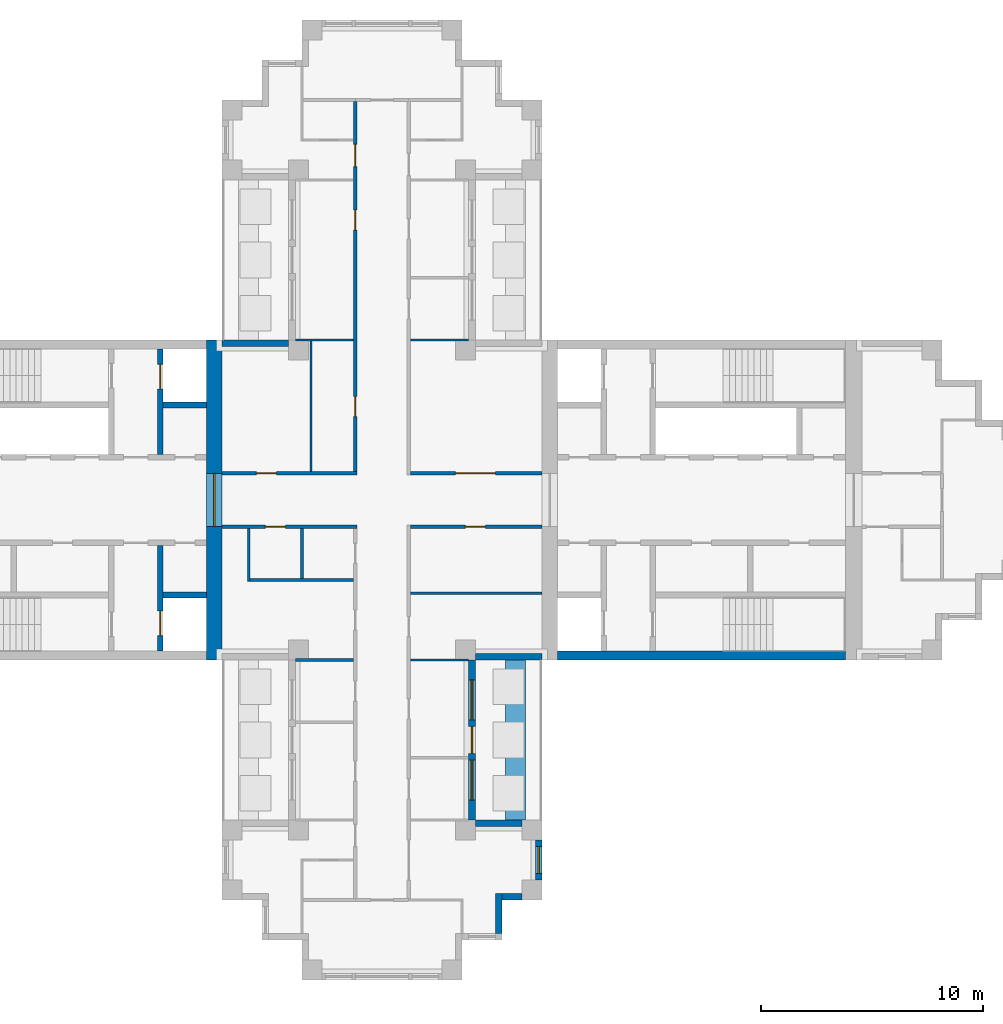
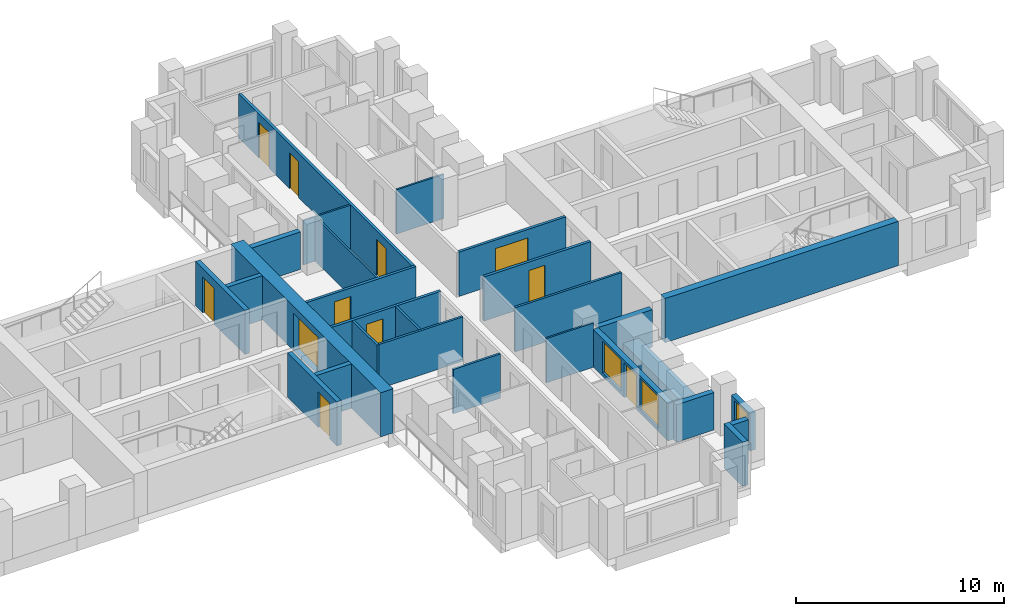
# One storey, part 5 of 11: 28 walls, 11 doors, 3 windows, 14 openings.
"""IFC4 building model written with IfcOpenShell, lengths in metres."""

from ifc_helpers import new_model, si_unit, direction, frame, frame_2d, origin, place, context, subcontext, project, spatial, rectangle, extrude, material, layer, layer_set, type_object, element, fill, save


model = new_model("IFC4")

# Units and contexts
model_context = context("Model", 3, precision=1e-05, world=origin(), true_north=direction((0.0, 1.0)))
body_context = subcontext(model_context, "Body", "Model", "MODEL_VIEW")
ifc_project = project(units=[si_unit("LENGTHUNIT", "METRE"), si_unit("AREAUNIT", "SQUARE_METRE"), si_unit("VOLUMEUNIT", "CUBIC_METRE"), si_unit("PLANEANGLEUNIT", "RADIAN"), si_unit("MASSUNIT", "GRAM", prefix="KILO")], contexts=[model_context])

# Site, building, storey
site_placement = place(None, origin())
site = spatial("IfcSite", under=ifc_project, at=site_placement, CompositionType="ELEMENT")
building_placement = place(site_placement, origin())
building = spatial("IfcBuilding", under=site, at=building_placement, Name="Fustian Cross Tower", CompositionType="ELEMENT")
storey_placement = place(building_placement, frame((0.0, 0.0, 170.699951171875)))
storey = spatial("IfcBuildingStorey", under=building, at=storey_placement, Name="L53", CompositionType="ELEMENT", Elevation=170.699951171875)

# Wall, opening, door
ifc_material_1 = material(Name="Plasterboard on steel stud", Category="steel")
ifc_layer_1 = layer(ifc_material_1, 0.14990234375)
ifc_layer_set_1 = layer_set([ifc_layer_1], Name="Plasterboard on steel stud")
wall_type_1 = type_object("IfcWallType", Name="COMPARTMENT WALL 150 EI 60", PredefinedType="PARTITIONING", material=ifc_layer_set_1)
wall_1_placement = place(storey_placement, frame((-7.199951171875, -1.199951171875, 0.0), z_axis=(0.0, 0.0, 1.0), x_axis=(1.0, 0.0, 0.0)))
wall_1 = element("IfcWall", 1, at=wall_1_placement, inside=storey, type_object=wall_type_1, Name="Partition 13", PredefinedType="PARTITIONING", context=body_context, shape_type="SweptSolid", body=[
    extrude(rectangle(XDim=6.074951171875, YDim=0.14990234375, at=frame_2d((3.03759765625, 0.0))), origin(), (0.0, 0.0, 1.0), 2.60009765625),
])
opening_1_placement = place(wall_1_placement, frame((1.949951171875, 0.0, 0.0)))
opening_1 = element("IfcOpeningElement", 2, at=opening_1_placement, cuts=wall_1, Name="Opening D25007", PredefinedType="OPENING", context=body_context, shape_type="SweptSolid", body=[
    extrude(rectangle(XDim=0.89990234375, YDim=2.10009765625, at=frame_2d((0.449951171875, 1.050048828125))), frame((0.0, 0.0849609375, 0.0), z_axis=(0.0, -1.0, 0.0), x_axis=(1.0, 0.0, 0.0)), (0.0, 0.0, 1.0), 0.169921875),
])
ifc_material_2 = material(Name="Timber fire door set", Category="wood")
door_type_1 = type_object("IfcDoorType", Name="FIRE SWING DOOR 900 FD30S", OperationType="SINGLE_SWING_LEFT", PredefinedType="DOOR", material=ifc_material_2)
door_1_placement = place(opening_1_placement, frame((0.89990234375, 0.0, 0.0), z_axis=(0.0, 0.0, 1.0), x_axis=(-1.0, 0.0, 0.0)))
door_1 = element("IfcDoor", 3, at=door_1_placement, inside=storey, type_object=door_type_1, Name="Door D25007", OperationType="SINGLE_SWING_RIGHT", OverallHeight=2.10009765625, OverallWidth=0.89990234375, PredefinedType="DOOR", context=body_context, shape_type="SweptSolid", body=[
    extrude(rectangle(XDim=0.89990234375, YDim=2.10009765625, at=frame_2d((0.449951171875, 1.050048828125))), frame((0.0, 0.02490234375, 0.0), z_axis=(0.0, -1.0, 0.0), x_axis=(1.0, 0.0, 0.0)), (0.0, 0.0, 1.0), 0.050048828125),
])
fill(opening_1, door_1)

wall_2_placement = place(storey_placement, frame((-7.199951171875, 1.199951171875, 0.0), z_axis=(0.0, 0.0, 1.0), x_axis=(1.0, 0.0, 0.0)))
wall_2 = element("IfcWall", 4, at=wall_2_placement, inside=storey, type_object=wall_type_1, Name="Partition 14", PredefinedType="PARTITIONING", context=body_context, shape_type="SweptSolid", body=[
    extrude(rectangle(XDim=6.074951171875, YDim=0.14990234375, at=frame_2d((3.03759765625, 0.0))), origin(), (0.0, 0.0, 1.0), 2.60009765625),
])
opening_2_placement = place(wall_2_placement, frame((1.550048828125, 0.0, 0.0)))
opening_2 = element("IfcOpeningElement", 5, at=opening_2_placement, cuts=wall_2, Name="Opening D25003", PredefinedType="OPENING", context=body_context, shape_type="SweptSolid", body=[
    extrude(rectangle(XDim=0.89990234375, YDim=2.10009765625, at=frame_2d((0.449951171875, 1.050048828125))), frame((0.0, 0.0849609375, 0.0), z_axis=(0.0, -1.0, 0.0), x_axis=(1.0, 0.0, 0.0)), (0.0, 0.0, 1.0), 0.169921875),
])
door_2_placement = place(opening_2_placement, origin())
door_2 = element("IfcDoor", 6, at=door_2_placement, inside=storey, type_object=door_type_1, Name="Door D25003", OperationType="SINGLE_SWING_LEFT", OverallHeight=2.10009765625, OverallWidth=0.89990234375, PredefinedType="DOOR", context=body_context, shape_type="SweptSolid", body=[
    extrude(rectangle(XDim=0.89990234375, YDim=2.10009765625, at=frame_2d((0.449951171875, 1.050048828125))), frame((0.0, 0.02490234375, 0.0), z_axis=(0.0, -1.0, 0.0), x_axis=(1.0, 0.0, 0.0)), (0.0, 0.0, 1.0), 0.050048828125),
])
fill(opening_2, door_2)

# Wall, openings, doors
wall_3_placement = place(storey_placement, frame((-1.199951171875, 1.27490234375, 0.0), z_axis=(0.0, 0.0, 1.0), x_axis=(0.0, 1.0, 0.0)))
wall_3 = element("IfcWall", 7, at=wall_3_placement, inside=storey, type_object=wall_type_1, Name="Partition 32", PredefinedType="PARTITIONING", context=body_context, shape_type="SweptSolid", body=[
    extrude(rectangle(XDim=16.650146484375, YDim=0.14990234375, at=frame_2d((8.3251953125, 0.0))), origin(), (0.0, 0.0, 1.0), 2.60009765625),
])
opening_3_placement = place(wall_3_placement, frame((2.47509765625, 0.0, 0.0)))
opening_3 = element("IfcOpeningElement", 8, at=opening_3_placement, cuts=wall_3, Name="Opening D25002", PredefinedType="OPENING", context=body_context, shape_type="SweptSolid", body=[
    extrude(rectangle(XDim=0.89990234375, YDim=2.10009765625, at=frame_2d((0.449951171875, 1.050048828125))), frame((0.0, 0.0849609375, 0.0), z_axis=(0.0, -1.0, 0.0), x_axis=(1.0, 0.0, 0.0)), (0.0, 0.0, 1.0), 0.169921875),
])
opening_4_placement = place(wall_3_placement, frame((10.875, 0.0, 0.0)))
opening_4 = element("IfcOpeningElement", 9, at=opening_4_placement, cuts=wall_3, Name="Opening D25014", PredefinedType="OPENING", context=body_context, shape_type="SweptSolid", body=[
    extrude(rectangle(XDim=0.89990234375, YDim=2.10009765625, at=frame_2d((0.449951171875, 1.050048828125))), frame((0.0, 0.0849609375, 0.0), z_axis=(0.0, -1.0, 0.0), x_axis=(1.0, 0.0, 0.0)), (0.0, 0.0, 1.0), 0.169921875),
])
opening_5_placement = place(wall_3_placement, frame((13.72509765625, 0.0, 0.0)))
opening_5 = element("IfcOpeningElement", 10, at=opening_5_placement, cuts=wall_3, Name="Opening D25016", PredefinedType="OPENING", context=body_context, shape_type="SweptSolid", body=[
    extrude(rectangle(XDim=1.0, YDim=2.10009765625, at=frame_2d((0.5, 1.050048828125))), frame((0.0, 0.0849609375, 0.0), z_axis=(0.0, -1.0, 0.0), x_axis=(1.0, 0.0, 0.0)), (0.0, 0.0, 1.0), 0.169921875),
])
ifc_material_3 = material(Name="Timber fire door set", Category="wood")
door_type_2 = type_object("IfcDoorType", Name="FIRE SWING DOOR 1000 FD30S", OperationType="SINGLE_SWING_LEFT", PredefinedType="DOOR", material=ifc_material_3)
door_3_placement = place(opening_5_placement, origin())
door_3 = element("IfcDoor", 11, at=door_3_placement, inside=storey, type_object=door_type_2, Name="Door D25016", OperationType="SINGLE_SWING_RIGHT", OverallHeight=2.10009765625, OverallWidth=1.0, PredefinedType="DOOR", context=body_context, shape_type="SweptSolid", body=[
    extrude(rectangle(XDim=1.0, YDim=2.10009765625, at=frame_2d((0.5, 1.050048828125))), frame((0.0, 0.02490234375, 0.0), z_axis=(0.0, -1.0, 0.0), x_axis=(1.0, 0.0, 0.0)), (0.0, 0.0, 1.0), 0.050048828125),
])
fill(opening_5, door_3)
door_4_placement = place(opening_3_placement, origin())
door_4 = element("IfcDoor", 12, at=door_4_placement, inside=storey, type_object=door_type_1, Name="Door D25002", OperationType="SINGLE_SWING_LEFT", OverallHeight=2.10009765625, OverallWidth=0.89990234375, PredefinedType="DOOR", context=body_context, shape_type="SweptSolid", body=[
    extrude(rectangle(XDim=0.89990234375, YDim=2.10009765625, at=frame_2d((0.449951171875, 1.050048828125))), frame((0.0, 0.02490234375, 0.0), z_axis=(0.0, -1.0, 0.0), x_axis=(1.0, 0.0, 0.0)), (0.0, 0.0, 1.0), 0.050048828125),
])
fill(opening_3, door_4)
door_5_placement = place(opening_4_placement, origin())
door_5 = element("IfcDoor", 13, at=door_5_placement, inside=storey, type_object=door_type_1, Name="Door D25014", OperationType="SINGLE_SWING_RIGHT", OverallHeight=2.10009765625, OverallWidth=0.89990234375, PredefinedType="DOOR", context=body_context, shape_type="SweptSolid", body=[
    extrude(rectangle(XDim=0.89990234375, YDim=2.10009765625, at=frame_2d((0.449951171875, 1.050048828125))), frame((0.0, 0.02490234375, 0.0), z_axis=(0.0, -1.0, 0.0), x_axis=(1.0, 0.0, 0.0)), (0.0, 0.0, 1.0), 0.050048828125),
])
fill(opening_4, door_5)

# Wall, opening, door
wall_4_placement = place(storey_placement, frame((1.27490234375, -1.199951171875, 0.0), z_axis=(0.0, 0.0, 1.0), x_axis=(1.0, 0.0, 0.0)))
wall_4 = element("IfcWall", 14, at=wall_4_placement, inside=storey, type_object=wall_type_1, Name="Partition 40", PredefinedType="PARTITIONING", context=body_context, shape_type="SweptSolid", body=[
    extrude(rectangle(XDim=5.925048828125, YDim=0.14990234375, at=frame_2d((2.96240234375, 0.0))), origin(), (0.0, 0.0, 1.0), 2.60009765625),
])
opening_6_placement = place(wall_4_placement, frame((2.47509765625, 0.0, 0.0)))
opening_6 = element("IfcOpeningElement", 15, at=opening_6_placement, cuts=wall_4, Name="Opening D25004", PredefinedType="OPENING", context=body_context, shape_type="SweptSolid", body=[
    extrude(rectangle(XDim=0.89990234375, YDim=2.10009765625, at=frame_2d((0.449951171875, 1.050048828125))), frame((0.0, 0.0849609375, 0.0), z_axis=(0.0, -1.0, 0.0), x_axis=(1.0, 0.0, 0.0)), (0.0, 0.0, 1.0), 0.169921875),
])
door_6_placement = place(opening_6_placement, frame((0.89990234375, 0.0, 0.0), z_axis=(0.0, 0.0, 1.0), x_axis=(-1.0, 0.0, 0.0)))
door_6 = element("IfcDoor", 16, at=door_6_placement, inside=storey, type_object=door_type_1, Name="Door D25004", OperationType="SINGLE_SWING_RIGHT", OverallHeight=2.10009765625, OverallWidth=0.89990234375, PredefinedType="DOOR", context=body_context, shape_type="SweptSolid", body=[
    extrude(rectangle(XDim=0.89990234375, YDim=2.10009765625, at=frame_2d((0.449951171875, 1.050048828125))), frame((0.0, 0.02490234375, 0.0), z_axis=(0.0, -1.0, 0.0), x_axis=(1.0, 0.0, 0.0)), (0.0, 0.0, 1.0), 0.050048828125),
])
fill(opening_6, door_6)

wall_5_placement = place(storey_placement, frame((1.27490234375, 1.199951171875, 0.0), z_axis=(0.0, 0.0, 1.0), x_axis=(1.0, 0.0, 0.0)))
wall_5 = element("IfcWall", 17, at=wall_5_placement, inside=storey, type_object=wall_type_1, Name="Partition 42", PredefinedType="PARTITIONING", context=body_context, shape_type="SweptSolid", body=[
    extrude(rectangle(XDim=5.925048828125, YDim=0.14990234375, at=frame_2d((2.96240234375, 0.0))), origin(), (0.0, 0.0, 1.0), 2.60009765625),
])
opening_7_placement = place(wall_5_placement, frame((2.02490234375, 0.0, 0.0)))
opening_7 = element("IfcOpeningElement", 18, at=opening_7_placement, cuts=wall_5, Name="Opening D25001", PredefinedType="OPENING", context=body_context, shape_type="SweptSolid", body=[
    extrude(rectangle(XDim=1.800048828125, YDim=2.10009765625, at=frame_2d((0.89990234375, 1.050048828125))), frame((0.0, 0.0849609375, 0.0), z_axis=(0.0, -1.0, 0.0), x_axis=(1.0, 0.0, 0.0)), (0.0, 0.0, 1.0), 0.169921875),
])
ifc_material_4 = material(Name="Timber fire door set", Category="wood")
door_type_3 = type_object("IfcDoorType", Name="FIRE DOUBLE DOOR 1800 FD30S", OperationType="DOUBLE_DOOR_DOUBLE_SWING", PredefinedType="DOOR", material=ifc_material_4)
door_7_placement = place(opening_7_placement, frame((1.800048828125, 0.0, 0.0), z_axis=(0.0, 0.0, 1.0), x_axis=(-1.0, 0.0, 0.0)))
door_7 = element("IfcDoor", 19, at=door_7_placement, inside=storey, type_object=door_type_3, Name="Door D25001", OperationType="DOUBLE_DOOR_DOUBLE_SWING", OverallHeight=2.10009765625, OverallWidth=1.800048828125, PredefinedType="DOOR", context=body_context, shape_type="SweptSolid", body=[
    extrude(rectangle(XDim=1.800048828125, YDim=2.10009765625, at=frame_2d((0.89990234375, 1.050048828125))), frame((0.0, 0.02490234375, 0.0), z_axis=(0.0, -1.0, 0.0), x_axis=(1.0, 0.0, 0.0)), (0.0, 0.0, 1.0), 0.050048828125),
])
fill(opening_7, door_7)

ifc_material_5 = material(Name="Concrete C50/60", Category="concrete")
ifc_layer_2 = layer(ifc_material_5, 0.699951171875)
ifc_layer_set_2 = layer_set([ifc_layer_2], Name="Concrete C50/60")
wall_type_2 = type_object("IfcWallType", Name="CORE END WALL 700 C50/60", PredefinedType="SHEAR", material=ifc_layer_set_2)
wall_6_placement = place(storey_placement, frame((-7.550048828125, -7.199951171875, 0.0), z_axis=(0.0, 0.0, 1.0), x_axis=(0.0, 1.0, 0.0)))
wall_6 = element("IfcWall", 20, at=wall_6_placement, inside=storey, type_object=wall_type_2, Name="Core end wall", PredefinedType="SHEAR", context=body_context, shape_type="SweptSolid", body=[
    extrude(rectangle(XDim=14.39990234375, YDim=0.699951171875, at=frame_2d((7.199951171875, 0.0))), origin(), (0.0, 0.0, 1.0), 2.60009765625),
])
opening_8_placement = place(wall_6_placement, frame((6.0, 0.0, 0.0)))
opening_8 = element("IfcOpeningElement", 21, at=opening_8_placement, cuts=wall_6, Name="Opening CD-22-28", PredefinedType="OPENING", context=body_context, shape_type="SweptSolid", body=[
    extrude(rectangle(XDim=2.39990234375, YDim=2.199951171875, at=frame_2d((1.199951171875, 1.10009765625))), frame((0.0, 0.35986328125, 0.0), z_axis=(0.0, -1.0, 0.0), x_axis=(1.0, 0.0, 0.0)), (0.0, 0.0, 1.0), 0.719970703125),
])
ifc_material_6 = material(Name="Steel", Category="steel")
door_type_4 = type_object("IfcDoorType", Name="FIRE DOOR FD30S DOUBLE 2400X2200", OperationType="DOUBLE_DOOR_DOUBLE_SWING", PredefinedType="DOOR", material=ifc_material_6)
door_8_placement = place(opening_8_placement, origin())
door_8 = element("IfcDoor", 22, at=door_8_placement, inside=storey, type_object=door_type_4, Name="Core door CD-22-28", OperationType="DOUBLE_DOOR_DOUBLE_SWING", OverallHeight=2.199951171875, OverallWidth=2.39990234375, PredefinedType="DOOR", context=body_context, shape_type="SweptSolid", body=[
    extrude(rectangle(XDim=2.39990234375, YDim=2.199951171875, at=frame_2d((1.199951171875, 1.10009765625))), frame((0.0, 0.02490234375, 0.0), z_axis=(0.0, -1.0, 0.0), x_axis=(1.0, 0.0, 0.0)), (0.0, 0.0, 1.0), 0.050048828125),
])
fill(opening_8, door_8)

# Walls
ifc_material_7 = material(Name="Concrete C50/60", Category="concrete")
ifc_layer_3 = layer(ifc_material_7, 0.39990234375)
ifc_layer_set_3 = layer_set([ifc_layer_3], Name="Concrete C50/60")
wall_type_3 = type_object("IfcWallType", Name="CORE FACADE WALL 400 C50/60", PredefinedType="SHEAR", material=ifc_layer_set_3)
wall_7_placement = place(storey_placement, frame((7.89990234375, -7.0, 0.0), z_axis=(0.0, 0.0, 1.0), x_axis=(1.0, 0.0, 0.0)))
element("IfcWall", 23, at=wall_7_placement, inside=storey, type_object=wall_type_3, Name="Core facade wall", PredefinedType="SHEAR", context=body_context, shape_type="SweptSolid", body=[
    extrude(rectangle(XDim=12.9501953125, YDim=0.39990234375, at=frame_2d((6.47509765625, 0.0))), origin(), (0.0, 0.0, 1.0), 2.60009765625),
])
ifc_material_8 = material(Name="Concrete C50/60", Category="concrete")
ifc_layer_4 = layer(ifc_material_8, 0.25)
ifc_layer_set_4 = layer_set([ifc_layer_4], Name="Concrete C50/60")
wall_type_4 = type_object("IfcWallType", Name="CORE SHAFT WALL 250 C50/60", PredefinedType="SHEAR", material=ifc_layer_set_4)
wall_8_placement = place(storey_placement, frame((-7.89990234375, 4.27490234375, 0.0), z_axis=(0.0, 0.0, 1.0), x_axis=(-1.0, 0.0, 0.0)))
element("IfcWall", 24, at=wall_8_placement, inside=storey, type_object=wall_type_4, Name="Core shaft wall", PredefinedType="SHEAR", context=body_context, shape_type="SweptSolid", body=[
    extrude(rectangle(XDim=1.9501953125, YDim=0.25, at=frame_2d((0.97509765625, 0.0))), origin(), (0.0, 0.0, 1.0), 2.60009765625),
])

# Wall, opening, door
wall_9_placement = place(storey_placement, frame((-9.97509765625, 2.050048828125, 0.0), z_axis=(0.0, 0.0, 1.0), x_axis=(0.0, 1.0, 0.0)))
wall_9 = element("IfcWall", 25, at=wall_9_placement, inside=storey, type_object=wall_type_4, Name="Core shaft wall", PredefinedType="SHEAR", context=body_context, shape_type="SweptSolid", body=[
    extrude(rectangle(XDim=4.75, YDim=0.25, at=frame_2d((2.375, 0.0))), origin(), (0.0, 0.0, 1.0), 2.60009765625),
])
opening_9_placement = place(wall_9_placement, frame((2.949951171875, 0.0, 0.0)))
opening_9 = element("IfcOpeningElement", 26, at=opening_9_placement, cuts=wall_9, Name="Opening LD", PredefinedType="OPENING", context=body_context, shape_type="SweptSolid", body=[
    extrude(rectangle(XDim=1.10009765625, YDim=2.10009765625, at=frame_2d((0.550048828125, 1.050048828125))), frame((0.0, 0.135009765625, 0.0), z_axis=(0.0, -1.0, 0.0), x_axis=(1.0, 0.0, 0.0)), (0.0, 0.0, 1.0), 0.27001953125),
])
ifc_material_9 = material(Name="Stainless steel", Category="steel")
door_type_5 = type_object("IfcDoorType", Name="LIFT LANDING DOOR 1100X2100", OperationType="SLIDING_TO_LEFT", PredefinedType="DOOR", material=ifc_material_9)
door_9_placement = place(opening_9_placement, origin())
door_9 = element("IfcDoor", 27, at=door_9_placement, inside=storey, type_object=door_type_5, Name="Landing door FL1W", OperationType="SLIDING_TO_LEFT", OverallHeight=2.10009765625, OverallWidth=1.10009765625, PredefinedType="DOOR", context=body_context, shape_type="SweptSolid", body=[
    extrude(rectangle(XDim=1.10009765625, YDim=2.10009765625, at=frame_2d((0.550048828125, 1.050048828125))), frame((0.0, 0.02490234375, 0.0), z_axis=(0.0, -1.0, 0.0), x_axis=(1.0, 0.0, 0.0)), (0.0, 0.0, 1.0), 0.050048828125),
])
fill(opening_9, door_9)

# Wall
wall_10_placement = place(storey_placement, frame((-7.89990234375, -4.27490234375, 0.0), z_axis=(0.0, 0.0, 1.0), x_axis=(-1.0, 0.0, 0.0)))
element("IfcWall", 28, at=wall_10_placement, inside=storey, type_object=wall_type_4, Name="Core shaft wall", PredefinedType="SHEAR", context=body_context, shape_type="SweptSolid", body=[
    extrude(rectangle(XDim=1.9501953125, YDim=0.25, at=frame_2d((0.97509765625, 0.0))), origin(), (0.0, 0.0, 1.0), 2.60009765625),
])

# Wall, opening, door
wall_11_placement = place(storey_placement, frame((-9.97509765625, -2.050048828125, 0.0), z_axis=(0.0, 0.0, 1.0), x_axis=(0.0, -1.0, 0.0)))
wall_11 = element("IfcWall", 29, at=wall_11_placement, inside=storey, type_object=wall_type_4, Name="Core shaft wall", PredefinedType="SHEAR", context=body_context, shape_type="SweptSolid", body=[
    extrude(rectangle(XDim=4.75, YDim=0.25, at=frame_2d((2.375, 0.0))), origin(), (0.0, 0.0, 1.0), 2.60009765625),
])
opening_10_placement = place(wall_11_placement, frame((2.949951171875, 0.0, 0.0)))
opening_10 = element("IfcOpeningElement", 30, at=opening_10_placement, cuts=wall_11, Name="Opening LD", PredefinedType="OPENING", context=body_context, shape_type="SweptSolid", body=[
    extrude(rectangle(XDim=1.10009765625, YDim=2.10009765625, at=frame_2d((0.550048828125, 1.050048828125))), frame((0.0, 0.135009765625, 0.0), z_axis=(0.0, -1.0, 0.0), x_axis=(1.0, 0.0, 0.0)), (0.0, 0.0, 1.0), 0.27001953125),
])
door_10_placement = place(opening_10_placement, origin())
door_10 = element("IfcDoor", 31, at=door_10_placement, inside=storey, type_object=door_type_5, Name="Landing door SV1W", OperationType="SLIDING_TO_LEFT", OverallHeight=2.10009765625, OverallWidth=1.10009765625, PredefinedType="DOOR", context=body_context, shape_type="SweptSolid", body=[
    extrude(rectangle(XDim=1.10009765625, YDim=2.10009765625, at=frame_2d((0.550048828125, 1.050048828125))), frame((0.0, 0.02490234375, 0.0), z_axis=(0.0, -1.0, 0.0), x_axis=(1.0, 0.0, 0.0)), (0.0, 0.0, 1.0), 0.050048828125),
])
fill(opening_10, door_10)

# Walls
ifc_material_10 = material(Name="Plasterboard on steel stud", Category="steel")
ifc_layer_5 = layer(ifc_material_10, 0.10009765625)
ifc_layer_set_5 = layer_set([ifc_layer_5], Name="Plasterboard on steel stud")
wall_type_5 = type_object("IfcWallType", Name="PARTITION 100 STUD", PredefinedType="PARTITIONING", material=ifc_layer_set_5)
wall_12_placement = place(storey_placement, frame((-3.89990234375, 7.199951171875, 0.0), z_axis=(0.0, 0.0, 1.0), x_axis=(1.0, 0.0, 0.0)))
element("IfcWall", 32, at=wall_12_placement, inside=storey, type_object=wall_type_5, Name="Partition 20", PredefinedType="PARTITIONING", context=body_context, shape_type="SweptSolid", body=[
    extrude(rectangle(XDim=2.625, YDim=0.10009765625, at=frame_2d((1.3125, 0.0))), origin(), (0.0, 0.0, 1.0), 2.60009765625),
])
wall_13_placement = place(storey_placement, frame((-3.199951171875, 1.27490234375, 0.0), z_axis=(0.0, 0.0, 1.0), x_axis=(0.0, 1.0, 0.0)))
element("IfcWall", 33, at=wall_13_placement, inside=storey, type_object=wall_type_5, Name="Partition 29", PredefinedType="PARTITIONING", context=body_context, shape_type="SweptSolid", body=[
    extrude(rectangle(XDim=5.875, YDim=0.10009765625, at=frame_2d((2.9375, 0.0))), origin(), (0.0, 0.0, 1.0), 2.60009765625),
])
for number, where, z_axis, x_axis, name in (
    (34, (1.27490234375, -7.199951171875, 0.0), (0.0, 0.0, 1.0), (1.0, 0.0, 0.0), "Partition 38"),
    (35, (1.27490234375, 7.199951171875, 0.0), (0.0, 0.0, 1.0), (1.0, 0.0, 0.0), "Partition 43"),
):
    element("IfcWall", number, at=place(storey_placement, frame(where, z_axis=z_axis, x_axis=x_axis)), inside=storey, type_object=wall_type_5, Name=name, PredefinedType="PARTITIONING", context=body_context, shape_type="SweptSolid", body=[
        extrude(rectangle(XDim=2.625, YDim=0.10009765625, at=frame_2d((1.3125, 0.0))), origin(), (0.0, 0.0, 1.0), 2.60009765625),
    ])
ifc_material_11 = material(Name="Concrete C40/50", Category="concrete")
ifc_layer_6 = layer(ifc_material_11, 0.89990234375)
ifc_layer_set_6 = layer_set([ifc_layer_6], Name="Concrete C40/50")
wall_type_6 = type_object("IfcWallType", Name="PK1 PLANTER 900", PredefinedType="PARAPET", material=ifc_layer_set_6)
wall_14_placement = place(storey_placement, frame((6.0, -14.39990234375, 0.0), z_axis=(0.0, 0.0, 1.0), x_axis=(0.0, 1.0, 0.0)))
element("IfcWall", 36, at=wall_14_placement, inside=storey, type_object=wall_type_6, Name="PLANTER", PredefinedType="PARAPET", context=body_context, shape_type="SweptSolid", body=[
    extrude(rectangle(XDim=7.199951171875, YDim=0.89990234375, at=frame_2d((3.60009765625, 0.0))), origin(), (0.0, 0.0, 1.0), 0.800048828125),
])
ifc_material_12 = material(Name="Plasterboard on steel stud", Category="steel")
ifc_layer_7 = layer(ifc_material_12, 0.125)
ifc_layer_set_7 = layer_set([ifc_layer_7], Name="Plasterboard on steel stud")
wall_type_7 = type_object("IfcWallType", Name="WET WALL 125 STUD", PredefinedType="PARTITIONING", material=ifc_layer_set_7)
wall_15_placement = place(storey_placement, frame((-6.0, -3.66259765625, 0.0), z_axis=(0.0, 0.0, 1.0), x_axis=(0.0, 1.0, 0.0)))
element("IfcWall", 37, at=wall_15_placement, inside=storey, type_object=wall_type_7, Name="Partition 15", PredefinedType="PARTITIONING", context=body_context, shape_type="SweptSolid", body=[
    extrude(rectangle(XDim=2.3876953125, YDim=0.125, at=frame_2d((1.19384765625, 0.0))), origin(), (0.0, 0.0, 1.0), 2.60009765625),
])
wall_16_placement = place(storey_placement, frame((-5.9375, -3.60009765625, 0.0), z_axis=(0.0, 0.0, 1.0), x_axis=(1.0, 0.0, 0.0)))
element("IfcWall", 38, at=wall_16_placement, inside=storey, type_object=wall_type_7, Name="Partition 16", PredefinedType="PARTITIONING", context=body_context, shape_type="SweptSolid", body=[
    extrude(rectangle(XDim=4.66259765625, YDim=0.125, at=frame_2d((2.331298828125, 0.0))), origin(), (0.0, 0.0, 1.0), 2.60009765625),
])
wall_17_placement = place(storey_placement, frame((-3.89990234375, -7.199951171875, 0.0), z_axis=(0.0, 0.0, 1.0), x_axis=(1.0, 0.0, 0.0)))
element("IfcWall", 39, at=wall_17_placement, inside=storey, type_object=wall_type_7, Name="Partition 19", PredefinedType="PARTITIONING", context=body_context, shape_type="SweptSolid", body=[
    extrude(rectangle(XDim=2.625, YDim=0.125, at=frame_2d((1.3125, 0.0))), origin(), (0.0, 0.0, 1.0), 2.60009765625),
])
wall_18_placement = place(storey_placement, frame((-3.60009765625, -3.53759765625, 0.0), z_axis=(0.0, 0.0, 1.0), x_axis=(0.0, 1.0, 0.0)))
element("IfcWall", 40, at=wall_18_placement, inside=storey, type_object=wall_type_7, Name="Partition 25", PredefinedType="PARTITIONING", context=body_context, shape_type="SweptSolid", body=[
    extrude(rectangle(XDim=2.2626953125, YDim=0.125, at=frame_2d((1.13134765625, 0.0))), origin(), (0.0, 0.0, 1.0), 2.60009765625),
])
wall_19_placement = place(storey_placement, frame((1.27490234375, -4.199951171875, 0.0), z_axis=(0.0, 0.0, 1.0), x_axis=(1.0, 0.0, 0.0)))
element("IfcWall", 41, at=wall_19_placement, inside=storey, type_object=wall_type_7, Name="Partition 39", PredefinedType="PARTITIONING", context=body_context, shape_type="SweptSolid", body=[
    extrude(rectangle(XDim=5.925048828125, YDim=0.125, at=frame_2d((2.96240234375, 0.0))), origin(), (0.0, 0.0, 1.0), 2.60009765625),
])
ifc_material_13 = material(Name="Dark aluminium cladding on insulated backing wall", Category="aluminium")
ifc_layer_8 = layer(ifc_material_13, 0.300048828125)
ifc_layer_set_8 = layer_set([ifc_layer_8], Name="Dark aluminium cladding on insulated backing wall")
wall_type_8 = type_object("IfcWallType", Name="XW1 EXTERNAL WALL 300", PredefinedType="SOLIDWALL", material=ifc_layer_set_8)
wall_20_placement = place(storey_placement, frame((-4.199951171875, 7.050048828125, 0.0), z_axis=(0.0, 0.0, 1.0), x_axis=(-1.0, 0.0, 0.0)))
element("IfcWall", 42, at=wall_20_placement, inside=storey, type_object=wall_type_8, Name="External wall", PredefinedType="SOLIDWALL", context=body_context, shape_type="SweptSolid", body=[
    extrude(rectangle(XDim=3.0, YDim=0.300048828125, at=frame_2d((1.5, 0.0))), origin(), (0.0, 0.0, 1.0), 2.199951171875),
])
wall_21_placement = place(storey_placement, frame((5.25, -19.5, 0.0), z_axis=(0.0, 0.0, 1.0), x_axis=(0.0, 1.0, 0.0)))
element("IfcWall", 43, at=wall_21_placement, inside=storey, type_object=wall_type_8, Name="External wall", PredefinedType="SOLIDWALL", context=body_context, shape_type="SweptSolid", body=[
    extrude(rectangle(XDim=1.800048828125, YDim=0.300048828125, at=frame_2d((0.89990234375, 0.0))), origin(), (0.0, 0.0, 1.0), 2.60009765625),
])
wall_22_placement = place(storey_placement, frame((5.39990234375, -17.85009765625, 0.0), z_axis=(0.0, 0.0, 1.0), x_axis=(1.0, 0.0, 0.0)))
element("IfcWall", 44, at=wall_22_placement, inside=storey, type_object=wall_type_8, Name="External wall", PredefinedType="SOLIDWALL", context=body_context, shape_type="SweptSolid", body=[
    extrude(rectangle(XDim=0.900146484375, YDim=0.300048828125, at=frame_2d((0.4501953125, 0.0))), origin(), (0.0, 0.0, 1.0), 2.60009765625),
])

# Wall, opening, window
wall_23_placement = place(storey_placement, frame((7.050048828125, -17.10009765625, 0.0), z_axis=(0.0, 0.0, 1.0), x_axis=(0.0, 1.0, 0.0)))
wall_23 = element("IfcWall", 45, at=wall_23_placement, inside=storey, type_object=wall_type_8, Name="External wall", PredefinedType="SOLIDWALL", context=body_context, shape_type="SweptSolid", body=[
    extrude(rectangle(XDim=1.800048828125, YDim=0.300048828125, at=frame_2d((0.89990234375, 0.0))), origin(), (0.0, 0.0, 1.0), 2.199951171875),
])
opening_11_placement = place(wall_23_placement, frame((0.300048828125, 0.0, 0.199951171875)))
opening_11 = element("IfcOpeningElement", 46, at=opening_11_placement, cuts=wall_23, Name="Opening WN3", PredefinedType="OPENING", context=body_context, shape_type="SweptSolid", body=[
    extrude(rectangle(XDim=1.199951171875, YDim=1.85009765625, at=frame_2d((0.60009765625, 0.925048828125))), frame((0.0, 0.159912109375, 0.0), z_axis=(0.0, -1.0, 0.0), x_axis=(1.0, 0.0, 0.0)), (0.0, 0.0, 1.0), 0.320068359375),
])
ifc_material_14 = material(Name="Dark anodised aluminium and double glazing", Category="aluminium")
window_type_1 = type_object("IfcWindowType", Name="WN3 WINDOW 1200X1850", PartitioningType="SINGLE_PANEL", PredefinedType="WINDOW", material=ifc_material_14)
window_1_placement = place(opening_11_placement, origin())
window_1 = element("IfcWindow", 47, at=window_1_placement, inside=storey, type_object=window_type_1, Name="Window", OverallHeight=1.85009765625, OverallWidth=1.199951171875, PartitioningType="SINGLE_PANEL", PredefinedType="WINDOW", context=body_context, shape_type="SweptSolid", body=[
    extrude(rectangle(XDim=1.199951171875, YDim=1.85009765625, at=frame_2d((0.60009765625, 0.925048828125))), frame((0.0, 0.030029296875, 0.0), z_axis=(0.0, -1.0, 0.0), x_axis=(1.0, 0.0, 0.0)), (0.0, 0.0, 1.0), 0.06005859375),
])
fill(opening_11, window_1)

# Wall
wall_24_placement = place(storey_placement, frame((6.300048828125, -14.550048828125, 0.0), z_axis=(0.0, 0.0, 1.0), x_axis=(-1.0, 0.0, 0.0)))
element("IfcWall", 48, at=wall_24_placement, inside=storey, type_object=wall_type_8, Name="External wall", PredefinedType="SOLIDWALL", context=body_context, shape_type="SweptSolid", body=[
    extrude(rectangle(XDim=2.10009765625, YDim=0.300048828125, at=frame_2d((1.050048828125, 0.0))), origin(), (0.0, 0.0, 1.0), 2.199951171875),
])

# Wall, openings, door, windows
wall_25_placement = place(storey_placement, frame((4.050048828125, -14.39990234375, 0.0), z_axis=(0.0, 0.0, 1.0), x_axis=(0.0, 1.0, 0.0)))
wall_25 = element("IfcWall", 49, at=wall_25_placement, inside=storey, type_object=wall_type_8, Name="External wall", PredefinedType="SOLIDWALL", context=body_context, shape_type="SweptSolid", body=[
    extrude(rectangle(XDim=7.199951171875, YDim=0.300048828125, at=frame_2d((3.60009765625, 0.0))), origin(), (0.0, 0.0, 1.0), 2.199951171875),
])
opening_12_placement = place(wall_25_placement, frame((3.0, 0.0, 0.0)))
opening_12 = element("IfcOpeningElement", 50, at=opening_12_placement, cuts=wall_25, Name="Opening XD3", PredefinedType="OPENING", context=body_context, shape_type="SweptSolid", body=[
    extrude(rectangle(XDim=1.199951171875, YDim=2.050048828125, at=frame_2d((0.60009765625, 1.02490234375))), frame((0.0, 0.159912109375, 0.0), z_axis=(0.0, -1.0, 0.0), x_axis=(1.0, 0.0, 0.0)), (0.0, 0.0, 1.0), 0.320068359375),
])
opening_13_placement = place(wall_25_placement, frame((0.89990234375, 0.0, 0.199951171875)))
opening_13 = element("IfcOpeningElement", 51, at=opening_13_placement, cuts=wall_25, Name="Opening WN2", PredefinedType="OPENING", context=body_context, shape_type="SweptSolid", body=[
    extrude(rectangle(XDim=1.800048828125, YDim=1.85009765625, at=frame_2d((0.89990234375, 0.925048828125))), frame((0.0, 0.159912109375, 0.0), z_axis=(0.0, -1.0, 0.0), x_axis=(1.0, 0.0, 0.0)), (0.0, 0.0, 1.0), 0.320068359375),
])
opening_14_placement = place(wall_25_placement, frame((4.5, 0.0, 0.199951171875)))
opening_14 = element("IfcOpeningElement", 52, at=opening_14_placement, cuts=wall_25, Name="Opening WN2", PredefinedType="OPENING", context=body_context, shape_type="SweptSolid", body=[
    extrude(rectangle(XDim=1.800048828125, YDim=1.85009765625, at=frame_2d((0.89990234375, 0.925048828125))), frame((0.0, 0.159912109375, 0.0), z_axis=(0.0, -1.0, 0.0), x_axis=(1.0, 0.0, 0.0)), (0.0, 0.0, 1.0), 0.320068359375),
])
ifc_material_15 = material(Name="Dark anodised aluminium and double glazing", Category="aluminium")
door_type_6 = type_object("IfcDoorType", Name="ED1 BALCONY DOOR 1200X2050", OperationType="SINGLE_SWING_LEFT", PredefinedType="DOOR", material=ifc_material_15)
door_11_placement = place(opening_12_placement, origin())
door_11 = element("IfcDoor", 53, at=door_11_placement, inside=storey, type_object=door_type_6, Name="Balcony door", OperationType="SINGLE_SWING_LEFT", OverallHeight=2.050048828125, OverallWidth=1.199951171875, PredefinedType="DOOR", context=body_context, shape_type="SweptSolid", body=[
    extrude(rectangle(XDim=1.199951171875, YDim=2.050048828125, at=frame_2d((0.60009765625, 1.02490234375))), frame((0.0, 0.02490234375, 0.0), z_axis=(0.0, -1.0, 0.0), x_axis=(1.0, 0.0, 0.0)), (0.0, 0.0, 1.0), 0.050048828125),
])
fill(opening_12, door_11)
ifc_material_16 = material(Name="Dark anodised aluminium and double glazing", Category="aluminium")
window_type_2 = type_object("IfcWindowType", Name="WN2 WINDOW 1800X1850", PartitioningType="SINGLE_PANEL", PredefinedType="WINDOW", material=ifc_material_16)
window_2_placement = place(opening_13_placement, origin())
window_2 = element("IfcWindow", 54, at=window_2_placement, inside=storey, type_object=window_type_2, Name="Window", OverallHeight=1.85009765625, OverallWidth=1.800048828125, PartitioningType="SINGLE_PANEL", PredefinedType="WINDOW", context=body_context, shape_type="SweptSolid", body=[
    extrude(rectangle(XDim=1.800048828125, YDim=1.85009765625, at=frame_2d((0.89990234375, 0.925048828125))), frame((0.0, 0.030029296875, 0.0), z_axis=(0.0, -1.0, 0.0), x_axis=(1.0, 0.0, 0.0)), (0.0, 0.0, 1.0), 0.06005859375),
])
fill(opening_13, window_2)
window_3_placement = place(opening_14_placement, origin())
window_3 = element("IfcWindow", 55, at=window_3_placement, inside=storey, type_object=window_type_2, Name="Window", OverallHeight=1.85009765625, OverallWidth=1.800048828125, PartitioningType="SINGLE_PANEL", PredefinedType="WINDOW", context=body_context, shape_type="SweptSolid", body=[
    extrude(rectangle(XDim=1.800048828125, YDim=1.85009765625, at=frame_2d((0.89990234375, 0.925048828125))), frame((0.0, 0.030029296875, 0.0), z_axis=(0.0, -1.0, 0.0), x_axis=(1.0, 0.0, 0.0)), (0.0, 0.0, 1.0), 0.06005859375),
])
fill(opening_14, window_3)

# Wall
wall_26_placement = place(storey_placement, frame((4.199951171875, -7.050048828125, 0.0), z_axis=(0.0, 0.0, 1.0), x_axis=(1.0, 0.0, 0.0)))
element("IfcWall", 56, at=wall_26_placement, inside=storey, type_object=wall_type_8, Name="External wall", PredefinedType="SOLIDWALL", context=body_context, shape_type="SweptSolid", body=[
    extrude(rectangle(XDim=3.0, YDim=0.300048828125, at=frame_2d((1.5, 0.0))), origin(), (0.0, 0.0, 1.0), 2.199951171875),
])

save(model, "model.ifc")
